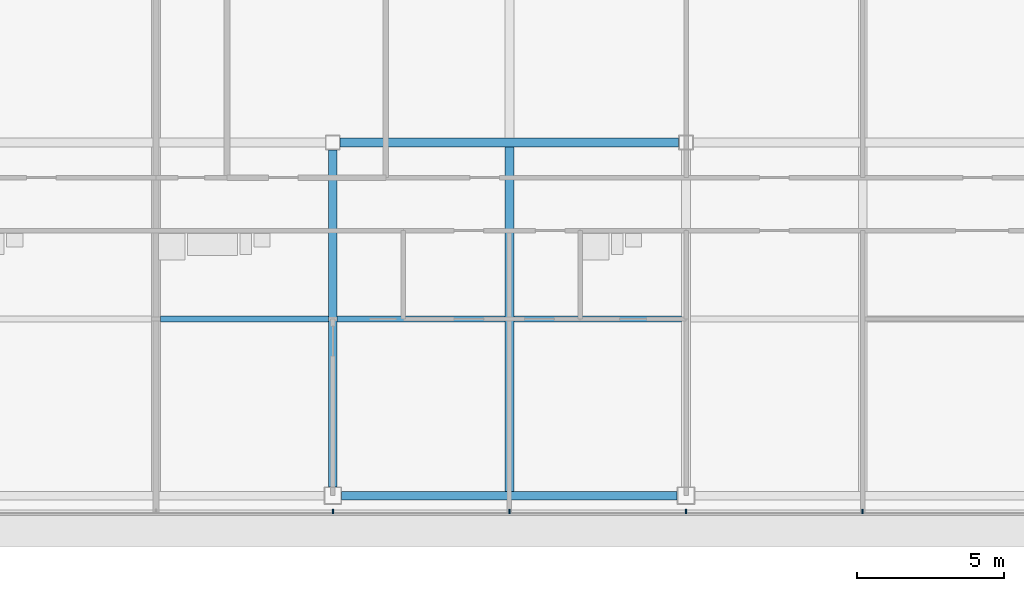
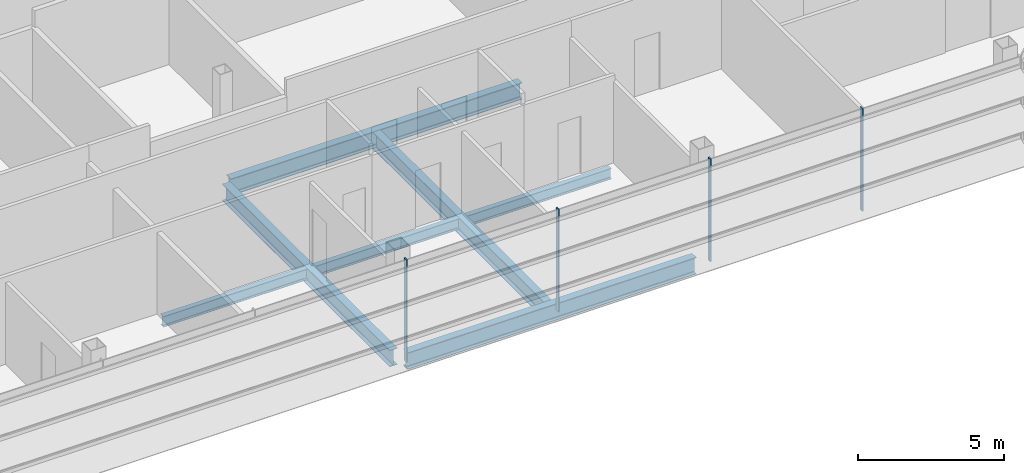
# One storey, part 9 of 29: 7 beams, 4 members, 1 element without a shape of its own.
"""IFC4 building model written with IfcOpenShell, lengths in metres."""

from ifc_helpers import new_model, si_unit, direction, frame, origin, origin_2d, place, context, subcontext, project, spatial, rectangle, i_section, extrude, material, material_profile, profile_set, type_object, element, aggregate, save


model = new_model("IFC4")

# Units and contexts
model_context = context("Model", 3, precision=1e-05, world=origin(), true_north=direction((0.0, 1.0)))
body_context = subcontext(model_context, "Body", "Model", "MODEL_VIEW")
ifc_project = project(units=[si_unit("LENGTHUNIT", "METRE"), si_unit("AREAUNIT", "SQUARE_METRE"), si_unit("VOLUMEUNIT", "CUBIC_METRE"), si_unit("PLANEANGLEUNIT", "RADIAN"), si_unit("MASSUNIT", "GRAM", prefix="KILO")], contexts=[model_context])

# Site, building, storey
site_placement = place(None, origin())
site = spatial("IfcSite", under=ifc_project, at=site_placement, CompositionType="ELEMENT")
building_placement = place(site_placement, origin())
building = spatial("IfcBuilding", under=site, at=building_placement, Name="Sorahane Residences", CompositionType="ELEMENT")
storey_placement = place(building_placement, frame((0.0, 0.0, 277.39990234375)))
storey = spatial("IfcBuildingStorey", under=building, at=storey_placement, Name="L66", CompositionType="ELEMENT", Elevation=277.39990234375)

# Curtain wall, members
ifc_material_1 = material(Name="Dark low-e glass and black anodised aluminium", Category="aluminium")
curtain_wall_type = type_object("IfcCurtainWallType", Name="Curtain wall CW-1 Typical unitised wall", PredefinedType="NOTDEFINED", material=ifc_material_1)
curtain_wall_placement = place(storey_placement, origin())
curtain_wall = element("IfcCurtainWall", 1, at=curtain_wall_placement, inside=storey, type_object=curtain_wall_type, Name="CW-1 curtain wall L66 S1", PredefinedType="NOTDEFINED")
ifc_material_2 = material(Name="Black anodised aluminium", Category="aluminium")
ifc_material_profile_1 = material_profile(ifc_material_2, rectangle(XDim=0.159912109375, YDim=0.050048828125, at=origin_2d()), Name="Curtain wall mullion CW-1 black anodised aluminium 50x160")
ifc_profile_set_1 = profile_set([ifc_material_profile_1], Name="Black anodised aluminium")
member_type = type_object("IfcMemberType", Name="Curtain wall mullion CW-1 black anodised aluminium 50x160", PredefinedType="MULLION", material=ifc_profile_set_1)
member_1_placement = place(storey_placement, frame((24.0, -0.5400390625, -0.179931640625), z_axis=(0.0, 0.0, 1.0), x_axis=(0.0, -1.0, 0.0)))
member_1 = element("IfcMember", 2, at=member_1_placement, type_object=member_type, Name="CW-1 mullion L66 S1.6", PredefinedType="MULLION", context=body_context, shape_type="SweptSolid", body=[
    extrude(rectangle(XDim=0.159912109375, YDim=0.050048828125, at=origin_2d()), origin(), (0.0, 0.0, 1.0), 4.280029296875),
])
member_2_placement = place(storey_placement, frame((30.0, -0.5400390625, -0.179931640625), z_axis=(0.0, 0.0, 1.0), x_axis=(0.0, -1.0, 0.0)))
member_2 = element("IfcMember", 3, at=member_2_placement, type_object=member_type, Name="CW-1 mullion L66 S1.7", PredefinedType="MULLION", context=body_context, shape_type="SweptSolid", body=[
    extrude(rectangle(XDim=0.159912109375, YDim=0.050048828125, at=origin_2d()), origin(), (0.0, 0.0, 1.0), 4.280029296875),
])
member_3_placement = place(storey_placement, frame((36.0, -0.5400390625, -0.179931640625), z_axis=(0.0, 0.0, 1.0), x_axis=(0.0, -1.0, 0.0)))
member_3 = element("IfcMember", 4, at=member_3_placement, type_object=member_type, Name="CW-1 mullion L66 S1.8", PredefinedType="MULLION", context=body_context, shape_type="SweptSolid", body=[
    extrude(rectangle(XDim=0.159912109375, YDim=0.050048828125, at=origin_2d()), origin(), (0.0, 0.0, 1.0), 4.280029296875),
])
member_4_placement = place(storey_placement, frame((42.0, -0.5400390625, -0.179931640625), z_axis=(0.0, 0.0, 1.0), x_axis=(0.0, -1.0, 0.0)))
member_4 = element("IfcMember", 5, at=member_4_placement, type_object=member_type, Name="CW-1 mullion L66 S1.9", PredefinedType="MULLION", context=body_context, shape_type="SweptSolid", body=[
    extrude(rectangle(XDim=0.159912109375, YDim=0.050048828125, at=origin_2d()), origin(), (0.0, 0.0, 1.0), 4.280029296875),
])
aggregate(curtain_wall, [member_1, member_2, member_3, member_4])

# Beams
ifc_material_3 = material(Name="Steel Q355B", Category="steel")
ifc_material_profile_2 = material_profile(ifc_material_3, i_section(OverallWidth=0.199951171875, OverallDepth=0.449951171875, WebThickness=0.009033203125, FlangeThickness=0.013916015625, FilletRadius=0.02001953125, at=origin_2d()), Name="HN 450x200x9x14")
ifc_profile_set_2 = profile_set([ifc_material_profile_2], Name="Steel Q355B")
beam_type_1 = type_object("IfcBeamType", Name="Steel floor beam HN 450x200x9x14 Q355B", PredefinedType="BEAM", material=ifc_profile_set_2)
for number, where, z_axis, x_axis, name in (
    (6, (18.14990234375, 6.0, -0.40478515625), (1.0, 0.0, 0.0), (0.0, 1.0, 0.0), "Beam L66 072"),
    (7, (24.14990234375, 6.0, -0.40478515625), (1.0, 0.0, 0.0), (0.0, 1.0, 0.0), "Beam L66 073"),
    (8, (30.14990234375, 6.0, -0.40478515625), (1.0, 0.0, 0.0), (0.0, 1.0, 0.0), "Beam L66 074"),
):
    element("IfcBeam", number, at=place(storey_placement, frame(where, z_axis=z_axis, x_axis=x_axis)), inside=storey, type_object=beam_type_1, Name=name, PredefinedType="BEAM", context=body_context, shape_type="SweptSolid", body=[
        extrude(i_section(OverallWidth=0.199951171875, OverallDepth=0.449951171875, WebThickness=0.009033203125, FlangeThickness=0.013916015625, FilletRadius=0.02001953125, at=origin_2d()), origin(), (0.0, 0.0, 1.0), 5.7001953125),
    ])
ifc_material_4 = material(Name="Steel Q355B", Category="steel")
ifc_material_profile_3 = material_profile(ifc_material_4, i_section(OverallWidth=0.300048828125, OverallDepth=0.699951171875, WebThickness=0.012939453125, FlangeThickness=0.02392578125, FilletRadius=0.028076171875, at=origin_2d()), Name="HN 700x300x13x24")
ifc_profile_set_3 = profile_set([ifc_material_profile_3], Name="Steel Q355B")
beam_type_2 = type_object("IfcBeamType", Name="Steel floor beam HN 700x300x13x24 Q355B", PredefinedType="BEAM", material=ifc_profile_set_3)
beam_1_placement = place(storey_placement, frame((24.300048828125, 0.0, -0.52978515625), z_axis=(1.0, 0.0, 0.0), x_axis=(0.0, 1.0, 0.0)))
element("IfcBeam", 9, at=beam_1_placement, inside=storey, type_object=beam_type_2, Name="Beam L66 003", PredefinedType="BEAM", context=body_context, shape_type="SweptSolid", body=[
    extrude(i_section(OverallWidth=0.300048828125, OverallDepth=0.699951171875, WebThickness=0.012939453125, FlangeThickness=0.02392578125, FilletRadius=0.028076171875, at=origin_2d()), origin(), (0.0, 0.0, 1.0), 11.39990234375),
])
beam_2_placement = place(storey_placement, frame((24.25, 12.0, -0.52978515625), z_axis=(1.0, 0.0, 0.0), x_axis=(0.0, 1.0, 0.0)))
element("IfcBeam", 10, at=beam_2_placement, inside=storey, type_object=beam_type_2, Name="Beam L66 008", PredefinedType="BEAM", context=body_context, shape_type="SweptSolid", body=[
    extrude(i_section(OverallWidth=0.300048828125, OverallDepth=0.699951171875, WebThickness=0.012939453125, FlangeThickness=0.02392578125, FilletRadius=0.028076171875, at=origin_2d()), origin(), (0.0, 0.0, 1.0), 11.5),
])
beam_3_placement = place(storey_placement, frame((24.0, 0.300048828125, -0.52978515625), z_axis=(0.0, 1.0, 0.0), x_axis=(-1.0, 0.0, 0.0)))
element("IfcBeam", 11, at=beam_3_placement, inside=storey, type_object=beam_type_2, Name="Beam L66 042", PredefinedType="BEAM", context=body_context, shape_type="SweptSolid", body=[
    extrude(i_section(OverallWidth=0.300048828125, OverallDepth=0.699951171875, WebThickness=0.012939453125, FlangeThickness=0.02392578125, FilletRadius=0.028076171875, at=origin_2d()), origin(), (0.0, 0.0, 1.0), 11.449951171875),
])
beam_4_placement = place(storey_placement, frame((30.0, 0.14990234375, -0.52978515625), z_axis=(0.0, 1.0, 0.0), x_axis=(-1.0, 0.0, 0.0)))
element("IfcBeam", 12, at=beam_4_placement, inside=storey, type_object=beam_type_2, Name="Beam L66 044", PredefinedType="BEAM", context=body_context, shape_type="SweptSolid", body=[
    extrude(i_section(OverallWidth=0.300048828125, OverallDepth=0.699951171875, WebThickness=0.012939453125, FlangeThickness=0.02392578125, FilletRadius=0.028076171875, at=origin_2d()), origin(), (0.0, 0.0, 1.0), 11.7001953125),
])

save(model, "model.ifc")
